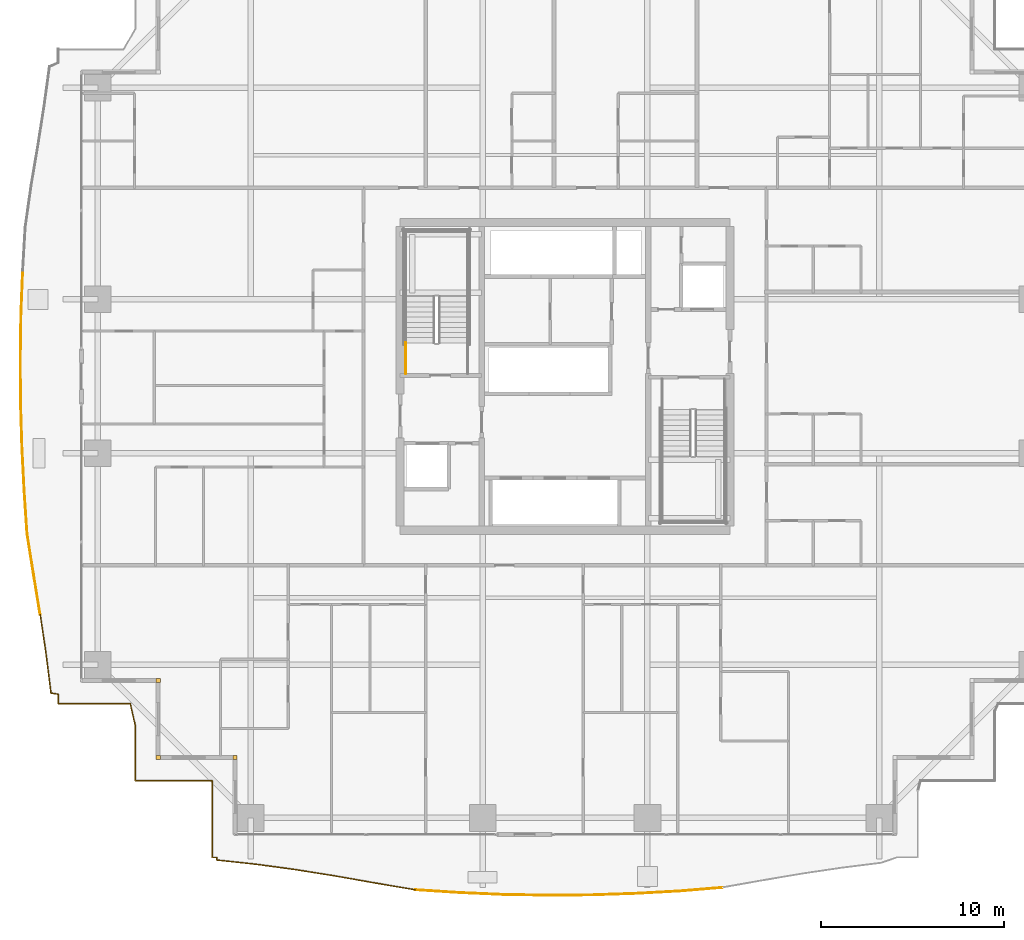
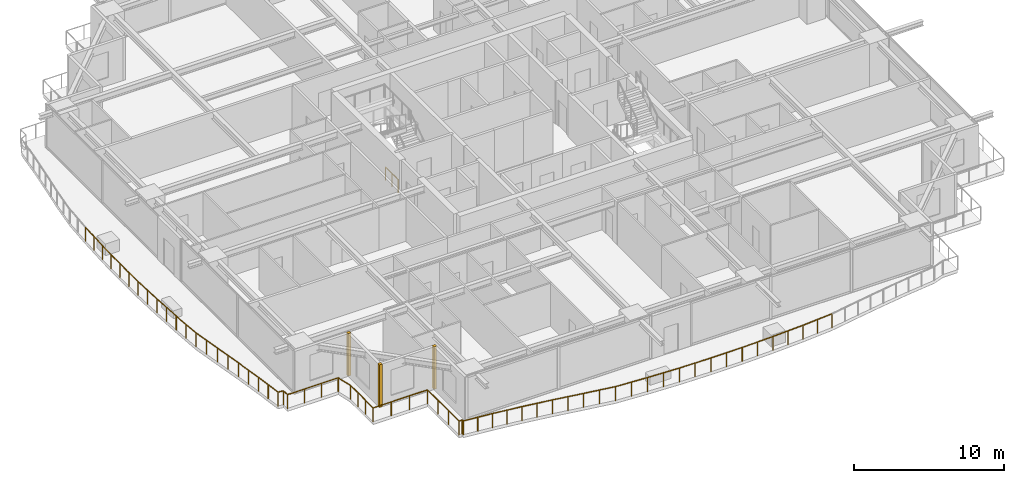
# One storey, part 34 of 40: 5 railings, 3 coverings.
"""IFC4 building model written with IfcOpenShell, lengths in metres."""

from ifc_helpers import new_model, si_unit, direction, frame, origin, origin_2d, place, context, subcontext, project, spatial, rectangle, circle, extrude, source, transform, mapped, material, layer, layer_set, type_object, element, save


model = new_model("IFC4")

# Units and contexts
model_context = context("Model", 3, precision=1e-05, world=origin(), true_north=direction((0.0, 1.0)))
body_context = subcontext(model_context, "Body", "Model", "MODEL_VIEW")
ifc_project = project(units=[si_unit("LENGTHUNIT", "METRE"), si_unit("AREAUNIT", "SQUARE_METRE"), si_unit("VOLUMEUNIT", "CUBIC_METRE"), si_unit("PLANEANGLEUNIT", "RADIAN"), si_unit("MASSUNIT", "GRAM", prefix="KILO")], contexts=[model_context])

# Site, building, storey
site_placement = place(None, origin())
site = spatial("IfcSite", under=ifc_project, at=site_placement, CompositionType="ELEMENT")
building_placement = place(site_placement, origin())
building = spatial("IfcBuilding", under=site, at=building_placement, Name="Serunith Strait Residences", CompositionType="ELEMENT")
storey_placement = place(building_placement, frame((0.0, 0.0, 90.449951171875)))
storey = spatial("IfcBuildingStorey", under=building, at=storey_placement, Name="L22", CompositionType="ELEMENT", Elevation=90.449951171875)

# Railings
ifc_material_1 = material(Name="Stainless Steel & Laminated Glass Balustrade", Category="steel")
railing_type_1 = type_object("IfcRailingType", Name="RLG-BALC-1150", PredefinedType="BALUSTRADE", material=ifc_material_1)
railing_1_placement = place(storey_placement, frame((13.139892578125, 3.139892578125, -0.050048828125)))
element("IfcRailing", 1, at=railing_1_placement, inside=storey, type_object=railing_type_1, Name="L22 Swirling Balcony Perimeter Balustrade 1", PredefinedType="BALUSTRADE", context=body_context, shape_type="SweptSolid", body=[
    extrude(circle(Radius=0.02392578125, at=origin_2d()), frame((-0.001953125, 0.0, 1.1259765625), z_axis=(-1.0, 0.0, 0.0), x_axis=(0.0, -1.0, 0.0)), (0.0, 0.0, 1.0), 4.196044921875),
    extrude(circle(Radius=0.02392578125, at=origin_2d()), frame((-4.199951171875, 0.001953125, 1.1259765625), z_axis=(0.0, 1.0, 0.0), x_axis=(-1.0, 0.0, 0.0)), (0.0, 0.0, 1.0), 3.02392578125),
    extrude(circle(Radius=0.02392578125, at=origin_2d()), frame((-4.200439453125, 3.02978515625, 1.1259765625), z_axis=(-0.221164626348, 0.975236488269, 0.0), x_axis=(-0.975236488269, -0.221164626348, 0.0)), (0.0, 0.0, 1.0), 1.1982421875),
    extrude(circle(Radius=0.02392578125, at=origin_2d()), frame((-4.4677734375, 4.2001953125, 1.1259765625), z_axis=(-1.0, 0.0, 0.0), x_axis=(0.0, -1.0, 0.0)), (0.0, 0.0, 1.0), 3.93017578125),
    extrude(circle(Radius=0.02392578125, at=origin_2d()), frame((-8.39990234375, 4.2021484375, 1.1259765625), z_axis=(0.0, 1.0, 0.0), x_axis=(-1.0, 0.0, 0.0)), (0.0, 0.0, 1.0), 0.50732421875),
    extrude(circle(Radius=0.02392578125, at=origin_2d()), frame((-8.40185546875, 4.711669921875, 1.1259765625), z_axis=(-0.987081873949, 0.160216647451, 0.0), x_axis=(-0.160216647451, -0.987081873949, 0.0)), (0.0, 0.0, 1.0), 0.393798828125),
    extrude(circle(Radius=0.02392578125, at=origin_2d()), frame((-8.792724609375, 4.777099609375, 1.1259765625), z_axis=(-0.125447112642, 0.992100308401, 0.0), x_axis=(-0.992100308401, -0.125447112642, 0.0)), (0.0, 0.0, 1.0), 2.14453125),
    extrude(circle(Radius=0.02392578125, at=origin_2d()), frame((-9.062255859375, 6.90869140625, 1.1259765625), z_axis=(-0.146272215515, 0.98924437778, 0.0), x_axis=(-0.98924437778, -0.146272215515, 0.0)), (0.0, 0.0, 1.0), 2.172607421875),
    extrude(circle(Radius=0.02099609375, at=origin_2d()), origin(), (0.0, 0.0, 1.0), 1.099853515625),
    extrude(circle(Radius=0.02099609375, at=origin_2d()), frame((-1.39990234375, 0.0, 0.0)), (0.0, 0.0, 1.0), 1.099853515625),
    extrude(circle(Radius=0.02099609375, at=origin_2d()), frame((-2.800048828125, 0.0, 0.0)), (0.0, 0.0, 1.0), 1.099853515625),
    extrude(circle(Radius=0.02099609375, at=origin_2d()), frame((-4.199951171875, 0.0, 0.0)), (0.0, 0.0, 1.0), 1.099853515625),
    extrude(circle(Radius=0.02099609375, at=origin_2d()), frame((-4.199951171875, 1.00927734375, 0.0)), (0.0, 0.0, 1.0), 1.099853515625),
    extrude(circle(Radius=0.02099609375, at=origin_2d()), frame((-4.199951171875, 2.0185546875, 0.0)), (0.0, 0.0, 1.0), 1.099853515625),
    extrude(circle(Radius=0.02099609375, at=origin_2d()), frame((-4.199951171875, 3.02783203125, 0.0)), (0.0, 0.0, 1.0), 1.099853515625),
    extrude(circle(Radius=0.02099609375, at=origin_2d()), frame((-4.4658203125, 4.2001953125, 0.0)), (0.0, 0.0, 1.0), 1.099853515625),
    extrude(circle(Radius=0.02099609375, at=origin_2d()), frame((-5.777099609375, 4.2001953125, 0.0)), (0.0, 0.0, 1.0), 1.099853515625),
    extrude(circle(Radius=0.02099609375, at=origin_2d()), frame((-7.088623046875, 4.2001953125, 0.0)), (0.0, 0.0, 1.0), 1.099853515625),
    extrude(circle(Radius=0.02099609375, at=origin_2d()), frame((-8.39990234375, 4.2001953125, 0.0)), (0.0, 0.0, 1.0), 1.099853515625),
    extrude(circle(Radius=0.02099609375, at=origin_2d()), frame((-8.39990234375, 4.71142578125, 0.0)), (0.0, 0.0, 1.0), 1.099853515625),
    extrude(circle(Radius=0.02099609375, at=origin_2d()), frame((-8.79248046875, 4.775146484375, 0.0)), (0.0, 0.0, 1.0), 1.099853515625),
    extrude(circle(Radius=0.02099609375, at=origin_2d()), frame((-8.92724609375, 5.8408203125, 0.0)), (0.0, 0.0, 1.0), 1.099853515625),
    extrude(circle(Radius=0.02099609375, at=origin_2d()), frame((-9.06201171875, 6.90673828125, 0.0)), (0.0, 0.0, 1.0), 1.099853515625),
    extrude(circle(Radius=0.02099609375, at=origin_2d()), frame((-9.22119140625, 7.9833984375, 0.0)), (0.0, 0.0, 1.0), 1.099853515625),
    extrude(circle(Radius=0.02099609375, at=origin_2d()), frame((-9.38037109375, 9.059814453125, 0.0)), (0.0, 0.0, 1.0), 1.099853515625),
])
railing_2_placement = place(storey_placement, frame((3.759521484375, 12.19970703125, -0.050048828125)))
element("IfcRailing", 2, at=railing_2_placement, inside=storey, type_object=railing_type_1, Name="L22 Swirling Balcony Perimeter Balustrade 2", PredefinedType="BALUSTRADE", context=body_context, shape_type="SweptSolid", body=[
    extrude(circle(Radius=0.02392578125, at=origin_2d()), frame((-0.000244140625, 0.001953125, 1.1259765625), z_axis=(-0.161293739921, 0.986906444128, 0.0), x_axis=(-0.986906444128, -0.161293739921, 0.0)), (0.0, 0.0, 1.0), 2.215087890625),
    extrude(circle(Radius=0.02392578125, at=origin_2d()), frame((-0.358154296875, 2.19189453125, 1.1259765625), z_axis=(-0.157124558248, 0.987578793411, 0.0), x_axis=(-0.987578793411, -0.157124558248, 0.0)), (0.0, 0.0, 1.0), 2.272216796875),
    extrude(circle(Radius=0.02392578125, at=origin_2d()), frame((-0.7158203125, 4.43994140625, 1.1259765625), z_axis=(-0.066167947512, 0.997808500025, 0.0), x_axis=(-0.997808500025, -0.066167947512, 0.0)), (0.0, 0.0, 1.0), 2.35009765625),
    extrude(circle(Radius=0.02392578125, at=origin_2d()), frame((-0.871337890625, 6.788818359375, 1.1259765625), z_axis=(-0.050336436888, 0.998732318052, 0.0), x_axis=(-0.998732318052, -0.050336436888, 0.0)), (0.0, 0.0, 1.0), 2.37744140625),
    extrude(circle(Radius=0.02392578125, at=origin_2d()), frame((-0.9912109375, 9.167236328125, 1.1259765625), z_axis=(-0.030599984231, 0.999531710835, 0.0), x_axis=(-0.999531710835, -0.030599984231, 0.0)), (0.0, 0.0, 1.0), 2.3974609375),
    extrude(circle(Radius=0.02392578125, at=origin_2d()), frame((-1.064697265625, 11.567626953125, 1.1259765625), z_axis=(-0.006178348602, 0.999980913822, 0.0), x_axis=(-0.999980913822, -0.006178348602, 0.0)), (0.0, 0.0, 1.0), 2.406494140625),
    extrude(circle(Radius=0.02392578125, at=origin_2d()), frame((-1.07958984375, 13.97802734375, 1.1259765625), z_axis=(0.014401589758, 0.999896291729, 0.0), x_axis=(-0.999896291729, 0.014401589758, 0.0)), (0.0, 0.0, 1.0), 2.4033203125),
    extrude(circle(Radius=0.02392578125, at=origin_2d()), frame((-1.044921875, 16.385009765625, 1.1259765625), z_axis=(0.039095636561, 0.99923547335, 0.0), x_axis=(-0.99923547335, 0.039095636561, 0.0)), (0.0, 0.0, 1.0), 2.3876953125),
    extrude(circle(Radius=0.02099609375, at=origin_2d()), origin(), (0.0, 0.0, 1.0), 1.099853515625),
    extrude(circle(Radius=0.02099609375, at=origin_2d()), frame((-0.178955078125, 1.094970703125, 0.0)), (0.0, 0.0, 1.0), 1.099853515625),
    extrude(circle(Radius=0.02099609375, at=origin_2d()), frame((-0.35791015625, 2.18994140625, 0.0)), (0.0, 0.0, 1.0), 1.099853515625),
    extrude(circle(Radius=0.02099609375, at=origin_2d()), frame((-0.53662109375, 3.31396484375, 0.0)), (0.0, 0.0, 1.0), 1.099853515625),
    extrude(circle(Radius=0.02099609375, at=origin_2d()), frame((-0.715576171875, 4.43798828125, 0.0)), (0.0, 0.0, 1.0), 1.099853515625),
    extrude(circle(Radius=0.02099609375, at=origin_2d()), frame((-0.79345703125, 5.6123046875, 0.0)), (0.0, 0.0, 1.0), 1.099853515625),
    extrude(circle(Radius=0.02099609375, at=origin_2d()), frame((-0.871337890625, 6.786865234375, 0.0)), (0.0, 0.0, 1.0), 1.099853515625),
    extrude(circle(Radius=0.02099609375, at=origin_2d()), frame((-0.93115234375, 7.97607421875, 0.0)), (0.0, 0.0, 1.0), 1.099853515625),
    extrude(circle(Radius=0.02099609375, at=origin_2d()), frame((-0.9912109375, 9.165283203125, 0.0)), (0.0, 0.0, 1.0), 1.099853515625),
    extrude(circle(Radius=0.02099609375, at=origin_2d()), frame((-1.02783203125, 10.365478515625, 0.0)), (0.0, 0.0, 1.0), 1.099853515625),
    extrude(circle(Radius=0.02099609375, at=origin_2d()), frame((-1.064697265625, 11.565673828125, 0.0)), (0.0, 0.0, 1.0), 1.099853515625),
    extrude(circle(Radius=0.02099609375, at=origin_2d()), frame((-1.072265625, 12.77099609375, 0.0)), (0.0, 0.0, 1.0), 1.099853515625),
    extrude(circle(Radius=0.02099609375, at=origin_2d()), frame((-1.07958984375, 13.97607421875, 0.0)), (0.0, 0.0, 1.0), 1.099853515625),
    extrude(circle(Radius=0.02099609375, at=origin_2d()), frame((-1.062255859375, 15.1796875, 0.0)), (0.0, 0.0, 1.0), 1.099853515625),
    extrude(circle(Radius=0.02099609375, at=origin_2d()), frame((-1.044921875, 16.383056640625, 0.0)), (0.0, 0.0, 1.0), 1.099853515625),
    extrude(circle(Radius=0.02099609375, at=origin_2d()), frame((-0.998046875, 17.578125, 0.0)), (0.0, 0.0, 1.0), 1.099853515625),
    extrude(circle(Radius=0.02099609375, at=origin_2d()), frame((-0.951416015625, 18.77294921875, 0.0)), (0.0, 0.0, 1.0), 1.099853515625),
])
railing_3_placement = place(storey_placement, frame((40.992431640625, -2.697509765625, -0.050048828125)))
element("IfcRailing", 3, at=railing_3_placement, inside=storey, type_object=railing_type_1, Name="L22 Swirling Balcony Perimeter Balustrade 7", PredefinedType="BALUSTRADE", context=body_context, shape_type="SweptSolid", body=[
    extrude(circle(Radius=0.02392578125, at=origin_2d()), frame((-0.001953125, -0.000244140625, 1.1259765625), z_axis=(-0.99661476482, -0.082213201758, 0.0), x_axis=(0.082213201758, -0.99661476482, 0.0)), (0.0, 0.0, 1.0), 2.350830078125),
    extrude(circle(Radius=0.02392578125, at=origin_2d()), frame((-2.348876953125, -0.193603515625, 1.1259765625), z_axis=(-0.998485685546, -0.055012141931, 0.0), x_axis=(0.055012141931, -0.998485685546, 0.0)), (0.0, 0.0, 1.0), 2.387939453125),
    extrude(circle(Radius=0.02392578125, at=origin_2d()), frame((-4.7373046875, -0.3251953125, 1.1259765625), z_axis=(-0.999439958995, -0.033462940161, 0.0), x_axis=(0.033462940161, -0.999439958995, 0.0)), (0.0, 0.0, 1.0), 2.410888671875),
    extrude(circle(Radius=0.02392578125, at=origin_2d()), frame((-7.15087890625, -0.406005859375, 1.1259765625), z_axis=(-0.999976572591, -0.006845017811, 0.0), x_axis=(0.006845017811, -0.999976572591, 0.0)), (0.0, 0.0, 1.0), 2.42138671875),
    extrude(circle(Radius=0.02392578125, at=origin_2d()), frame((-9.576171875, -0.422607421875, 1.1259765625), z_axis=(-0.999861615608, 0.016635793746, 0.0), x_axis=(-0.016635793746, -0.999861615608, 0.0)), (0.0, 0.0, 1.0), 2.41748046875),
    extrude(circle(Radius=0.02392578125, at=origin_2d()), frame((-11.997314453125, -0.38232421875, 1.1259765625), z_axis=(-0.999059030837, 0.043371106768, 0.0), x_axis=(-0.043371106768, -0.999059030837, 0.0)), (0.0, 0.0, 1.0), 2.399658203125),
    extrude(circle(Radius=0.02392578125, at=origin_2d()), frame((-14.398681640625, -0.27783203125, 1.1259765625), z_axis=(-0.997885040064, 0.065003436953, 0.0), x_axis=(-0.065003436953, -0.997885040064, 0.0)), (0.0, 0.0, 1.0), 2.36962890625),
    extrude(circle(Radius=0.02099609375, at=origin_2d()), origin(), (0.0, 0.0, 1.0), 1.099853515625),
    extrude(circle(Radius=0.02099609375, at=origin_2d()), frame((-1.17333984375, -0.0966796875, 0.0)), (0.0, 0.0, 1.0), 1.099853515625),
    extrude(circle(Radius=0.02099609375, at=origin_2d()), frame((-2.346923828125, -0.193603515625, 0.0)), (0.0, 0.0, 1.0), 1.099853515625),
    extrude(circle(Radius=0.02099609375, at=origin_2d()), frame((-3.541015625, -0.25927734375, 0.0)), (0.0, 0.0, 1.0), 1.099853515625),
    extrude(circle(Radius=0.02099609375, at=origin_2d()), frame((-4.7353515625, -0.3251953125, 0.0)), (0.0, 0.0, 1.0), 1.099853515625),
    extrude(circle(Radius=0.02099609375, at=origin_2d()), frame((-5.942138671875, -0.36572265625, 0.0)), (0.0, 0.0, 1.0), 1.099853515625),
    extrude(circle(Radius=0.02099609375, at=origin_2d()), frame((-7.14892578125, -0.406005859375, 0.0)), (0.0, 0.0, 1.0), 1.099853515625),
    extrude(circle(Radius=0.02099609375, at=origin_2d()), frame((-8.361572265625, -0.414306640625, 0.0)), (0.0, 0.0, 1.0), 1.099853515625),
    extrude(circle(Radius=0.02099609375, at=origin_2d()), frame((-9.57421875, -0.422607421875, 0.0)), (0.0, 0.0, 1.0), 1.099853515625),
    extrude(circle(Radius=0.02099609375, at=origin_2d()), frame((-10.78466796875, -0.40234375, 0.0)), (0.0, 0.0, 1.0), 1.099853515625),
    extrude(circle(Radius=0.02099609375, at=origin_2d()), frame((-11.995361328125, -0.38232421875, 0.0)), (0.0, 0.0, 1.0), 1.099853515625),
    extrude(circle(Radius=0.02099609375, at=origin_2d()), frame((-13.196044921875, -0.330078125, 0.0)), (0.0, 0.0, 1.0), 1.099853515625),
    extrude(circle(Radius=0.02099609375, at=origin_2d()), frame((-14.396728515625, -0.278076171875, 0.0)), (0.0, 0.0, 1.0), 1.099853515625),
    extrude(circle(Radius=0.02099609375, at=origin_2d()), frame((-15.5810546875, -0.200927734375, 0.0)), (0.0, 0.0, 1.0), 1.099853515625),
    extrude(circle(Radius=0.02099609375, at=origin_2d()), frame((-16.765380859375, -0.123779296875, 0.0)), (0.0, 0.0, 1.0), 1.099853515625),
])
railing_4_placement = place(storey_placement, frame((24.22705078125, -2.8212890625, -0.050048828125)))
element("IfcRailing", 4, at=railing_4_placement, inside=storey, type_object=railing_type_1, Name="L22 Swirling Balcony Perimeter Balustrade 8", PredefinedType="BALUSTRADE", context=body_context, shape_type="SweptSolid", body=[
    extrude(circle(Radius=0.02392578125, at=origin_2d()), frame((-0.001953125, 0.000244140625, 1.1259765625), z_axis=(-0.985887561454, 0.167408829429, 0.0), x_axis=(-0.167408829429, -0.985887561454, 0.0)), (0.0, 0.0, 1.0), 2.2841796875),
    extrude(circle(Radius=0.02392578125, at=origin_2d()), frame((-2.2578125, 0.38330078125, 1.1259765625), z_axis=(-0.98482885706, 0.173528448105, 0.0), x_axis=(-0.173528448105, -0.98482885706, 0.0)), (0.0, 0.0, 1.0), 2.218994140625),
    extrude(circle(Radius=0.02392578125, at=origin_2d()), frame((-4.447021484375, 0.76904296875, 1.1259765625), z_axis=(-0.987546226089, 0.157329117893, 0.0), x_axis=(-0.157329117893, -0.987546226089, 0.0)), (0.0, 0.0, 1.0), 2.170166015625),
    extrude(circle(Radius=0.02392578125, at=origin_2d()), frame((-6.593994140625, 1.111083984375, 1.1259765625), z_axis=(-0.991095094081, 0.133155978046, 0.0), x_axis=(-0.133155978046, -0.991095094081, 0.0)), (0.0, 0.0, 1.0), 2.139404296875),
    extrude(circle(Radius=0.02392578125, at=origin_2d()), frame((-8.71826171875, 1.396484375, 1.1259765625), z_axis=(-0.994220290561, 0.107359274569, 0.0), x_axis=(-0.107359274569, -0.994220290561, 0.0)), (0.0, 0.0, 1.0), 2.12451171875),
    extrude(circle(Radius=0.02392578125, at=origin_2d()), frame((-10.83251953125, 1.626708984375, 1.1259765625), z_axis=(0.008944186046, 0.999959999968, 0.0), x_axis=(-0.999959999968, 0.008944186046, 0.0)), (0.0, 0.0, 1.0), 0.132568359375),
    extrude(circle(Radius=0.02392578125, at=origin_2d()), frame((-10.833251953125, 1.76123046875, 1.1259765625), z_axis=(-1.0, 0.0, 0.0), x_axis=(0.0, -1.0, 0.0)), (0.0, 0.0, 1.0), 0.251953125),
    extrude(circle(Radius=0.02392578125, at=origin_2d()), frame((-11.087158203125, 1.76318359375, 1.1259765625), z_axis=(0.0, 1.0, 0.0), x_axis=(-1.0, 0.0, 0.0)), (0.0, 0.0, 1.0), 4.196044921875),
    extrude(circle(Radius=0.02099609375, at=origin_2d()), origin(), (0.0, 0.0, 1.0), 1.099853515625),
    extrude(circle(Radius=0.02099609375, at=origin_2d()), frame((-1.1279296875, 0.19140625, 0.0)), (0.0, 0.0, 1.0), 1.099853515625),
    extrude(circle(Radius=0.02099609375, at=origin_2d()), frame((-2.255859375, 0.383056640625, 0.0)), (0.0, 0.0, 1.0), 1.099853515625),
    extrude(circle(Radius=0.02099609375, at=origin_2d()), frame((-3.3505859375, 0.575927734375, 0.0)), (0.0, 0.0, 1.0), 1.099853515625),
    extrude(circle(Radius=0.02099609375, at=origin_2d()), frame((-4.445068359375, 0.768798828125, 0.0)), (0.0, 0.0, 1.0), 1.099853515625),
    extrude(circle(Radius=0.02099609375, at=origin_2d()), frame((-5.5185546875, 0.93994140625, 0.0)), (0.0, 0.0, 1.0), 1.099853515625),
    extrude(circle(Radius=0.02099609375, at=origin_2d()), frame((-6.592041015625, 1.11083984375, 0.0)), (0.0, 0.0, 1.0), 1.099853515625),
    extrude(circle(Radius=0.02099609375, at=origin_2d()), frame((-7.654296875, 1.25341796875, 0.0)), (0.0, 0.0, 1.0), 1.099853515625),
    extrude(circle(Radius=0.02099609375, at=origin_2d()), frame((-8.71630859375, 1.396240234375, 0.0)), (0.0, 0.0, 1.0), 1.099853515625),
    extrude(circle(Radius=0.02099609375, at=origin_2d()), frame((-9.7744140625, 1.510498046875, 0.0)), (0.0, 0.0, 1.0), 1.099853515625),
    extrude(circle(Radius=0.02099609375, at=origin_2d()), frame((-10.83251953125, 1.624755859375, 0.0)), (0.0, 0.0, 1.0), 1.099853515625),
    extrude(circle(Radius=0.02099609375, at=origin_2d()), frame((-10.831298828125, 1.76123046875, 0.0)), (0.0, 0.0, 1.0), 1.099853515625),
    extrude(circle(Radius=0.02099609375, at=origin_2d()), frame((-11.087158203125, 1.76123046875, 0.0)), (0.0, 0.0, 1.0), 1.099853515625),
    extrude(circle(Radius=0.02099609375, at=origin_2d()), frame((-11.087158203125, 3.1611328125, 0.0)), (0.0, 0.0, 1.0), 1.099853515625),
    extrude(circle(Radius=0.02099609375, at=origin_2d()), frame((-11.087158203125, 4.561279296875, 0.0)), (0.0, 0.0, 1.0), 1.099853515625),
    extrude(circle(Radius=0.02099609375, at=origin_2d()), frame((-11.087158203125, 5.961181640625, 0.0)), (0.0, 0.0, 1.0), 1.099853515625),
])
ifc_material_2 = material(Name="Brushed stainless steel 316L", Category="steel")
railing_type_2 = type_object("IfcRailingType", Name="RLG-STAIR-GUARD", PredefinedType="BALUSTRADE", material=ifc_material_2)
railing_5_placement = place(storey_placement, frame((23.699951171875, 25.35009765625, 0.0)))
element("IfcRailing", 5, at=railing_5_placement, inside=storey, type_object=railing_type_2, Name="L22 ST-1 stair guard 9", PredefinedType="BALUSTRADE", context=body_context, shape_type="SweptSolid", body=[
    extrude(circle(Radius=0.02392578125, at=origin_2d()), frame((0.0, 0.001953125, 1.076171875), z_axis=(0.0, 1.0, 0.0), x_axis=(-1.0, 0.0, 0.0)), (0.0, 0.0, 1.0), 1.676025390625),
    extrude(circle(Radius=0.02099609375, at=origin_2d()), origin(), (0.0, 0.0, 1.0), 1.050048828125),
    extrude(circle(Radius=0.02099609375, at=origin_2d()), frame((0.0, 0.83984375, 0.0)), (0.0, 0.0, 1.0), 1.050048828125),
    extrude(circle(Radius=0.02099609375, at=origin_2d()), frame((0.0, 1.679931640625, 0.0)), (0.0, 0.0, 1.0), 1.050048828125),
])

# Coverings
ifc_material_3 = material(Name="Pale-Champagne Anodised Aluminium", Category="aluminium")
ifc_layer = layer(ifc_material_3, 0.219970703125, Name="Pale-Champagne Anodised Aluminium")
ifc_layer_set = layer_set([ifc_layer], Name="Pale-Champagne Anodised Aluminium")
covering_type = type_object("IfcCoveringType", Name="COV-CORN-TRIM", PredefinedType="CLADDING", material=ifc_layer_set)
shared_shape = source(origin(), body_context, "Body", "SweptSolid", [
    extrude(rectangle(XDim=0.221923828125, YDim=0.221923828125, at=origin_2d()), origin(), (0.0, 0.0, 1.0), 3.47509765625),
])
for number, where, z_axis, x_axis, name in (
    (6, (10.199951171875, 8.60009765625, 0.0), (0.0, 0.0, 1.0), (1.0, 0.0, 0.0), "L22 Girih Serrated Corner Trim Post 17"),
    (7, (10.199951171875, 4.39990234375, 0.0), (0.0, 0.0, 1.0), (1.0, 0.0, 0.0), "L22 Girih Serrated Corner Trim Post 18"),
    (8, (14.39990234375, 4.39990234375, 0.0), (0.0, 0.0, 1.0), (1.0, 0.0, 0.0), "L22 Girih Serrated Corner Trim Post 19"),
):
    element("IfcCovering", number, at=place(storey_placement, frame(where, z_axis=z_axis, x_axis=x_axis)), inside=storey, type_object=covering_type, Name=name, PredefinedType="CLADDING", context=body_context, shape_type="MappedRepresentation", body=[
        mapped(shared_shape, transform((0.0, 0.0, 0.0), scale=1.0)),
    ])

save(model, "model.ifc")
